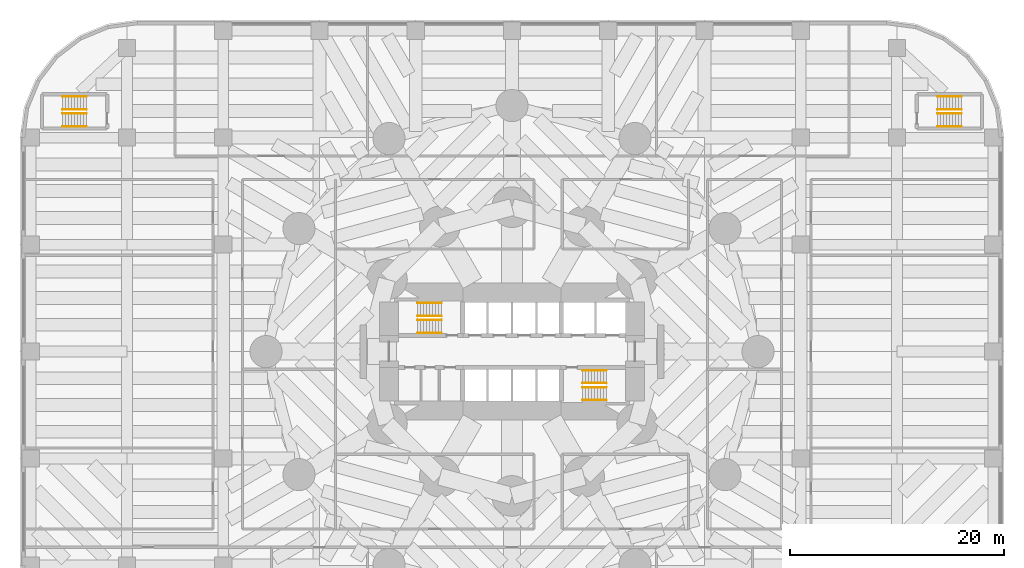
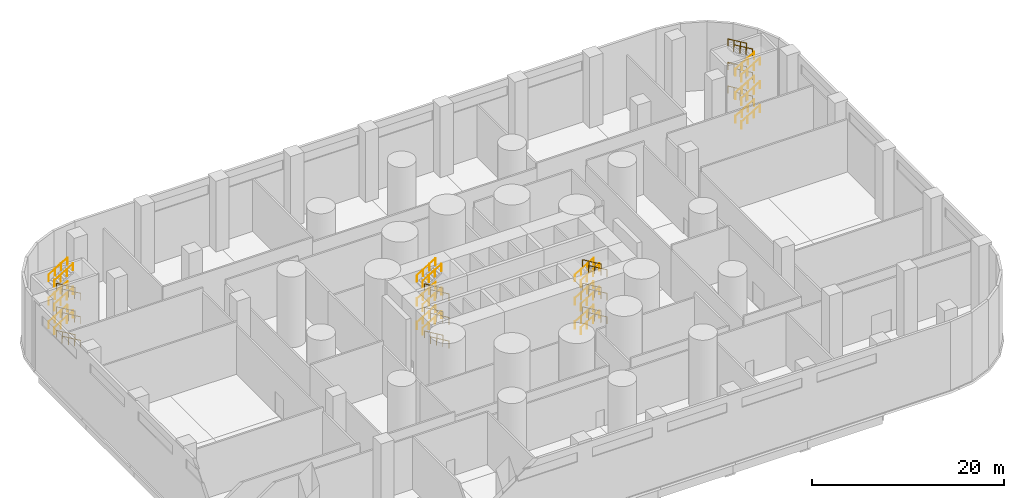
# One storey, part 13 of 13: 48 railings.
"""IFC4 building model written with IfcOpenShell, lengths in metres."""

import ifcopenshell
import ifcopenshell.guid

model = None  # the IFC model being written
_history = None  # IfcOwnerHistory: only IFC2X3 demands one
_inside = {}  # id of a spatial element -> (the spatial element, [elements in it])
_under = {}  # id of a project, library or spatial element -> (it, [spatial elements below it])
_declared = {}  # id of a project -> (the project, [libraries it declares])
_typed = {}  # id of a type object -> (the type object, [elements of that type])
_made_of = {}  # id of a material, layer set ... -> (it, [elements and type objects made of it])


def new_model(schema):
    """Start an empty IFC model of exactly this schema.

    Asked for "IFC4X3", IfcOpenShell would pick the latest addendum, in which some entities
    have other attributes; the version numbers below select the first issue.
    IFC2X3 requires an IfcOwnerHistory on every rooted entity: one is made here for all.
    """
    global model, _history
    if schema == "IFC4X3":
        model = ifcopenshell.file(schema_version=(4, 3, 0, 0))
    else:
        model = ifcopenshell.file(schema=schema)
    _inside.clear()
    _under.clear()
    _declared.clear()
    _typed.clear()
    _made_of.clear()
    _history = None
    if model.schema == "IFC2X3":
        org = make("IfcOrganization", Name="unknown")
        user = make(
            "IfcPersonAndOrganization",
            ThePerson=make("IfcPerson", FamilyName="unknown"),
            TheOrganization=org,
        )
        app = make(
            "IfcApplication",
            ApplicationDeveloper=org,
            Version="unknown",
            ApplicationFullName="unknown",
            ApplicationIdentifier="unknown",
        )
        _history = make(
            "IfcOwnerHistory",
            OwningUser=user,
            OwningApplication=app,
            ChangeAction="ADDED",
            CreationDate=0,
        )
    return model


def make(cls, **values):
    """One entity of the class cls with the attributes given. An attribute that is None is left unset."""
    return model.create_entity(
        cls, **{name: value for name, value in values.items() if value is not None}
    )


def rooted(cls, **values):
    """An entity with a GlobalId (a new one), such as an element, a storey or a relation."""
    return make(cls, GlobalId=ifcopenshell.guid.new(), OwnerHistory=_history, **values)


def si_unit(unit_type, name, prefix=None):
    """IfcSIUnit, for example si_unit("LENGTHUNIT", "METRE", prefix="MILLI")."""
    return make("IfcSIUnit", UnitType=unit_type, Prefix=prefix, Name=name)


def assignment(units):
    """IfcUnitAssignment: the units of a project."""
    return None if units is None else make("IfcUnitAssignment", Units=units)


def point(xyz):
    """IfcCartesianPoint."""
    return None if xyz is None else make("IfcCartesianPoint", Coordinates=xyz)


def direction(xyz):
    """IfcDirection."""
    return None if xyz is None else make("IfcDirection", DirectionRatios=xyz)


def frame(location, z_axis=None, x_axis=None):
    """IfcAxis2Placement3D, a coordinate frame: its origin and axes. An axis left out is left unset."""
    return make(
        "IfcAxis2Placement3D",
        Location=point(location),
        Axis=direction(z_axis),
        RefDirection=direction(x_axis),
    )


def frame_2d(location, x_axis=None):
    """IfcAxis2Placement2D, a coordinate frame in the plane: its origin and x axis."""
    return make(
        "IfcAxis2Placement2D", Location=point(location), RefDirection=direction(x_axis)
    )


def origin():
    """The frame at (0, 0, 0) with its axes left unset."""
    return frame((0.0, 0.0, 0.0))


def origin_2d():
    """The frame at (0, 0) in the plane with its x axis left unset."""
    return frame_2d((0.0, 0.0))


def place(relative_to, where):
    """IfcLocalPlacement: puts the frame where relative to a parent placement (None: the world)."""
    return make(
        "IfcLocalPlacement", PlacementRelTo=relative_to, RelativePlacement=where
    )


def context(
    kind, dimensions, precision=None, world=None, true_north=None, identifier=None
):
    """IfcGeometricRepresentationContext, for example the 3D "Model" context."""
    return make(
        "IfcGeometricRepresentationContext",
        ContextIdentifier=identifier,
        ContextType=kind,
        CoordinateSpaceDimension=dimensions,
        Precision=precision,
        WorldCoordinateSystem=world,
        TrueNorth=true_north,
    )


def subcontext(parent, identifier, kind, view, scale=None):
    """IfcGeometricRepresentationSubContext, for example "Body" below "Model"."""
    return make(
        "IfcGeometricRepresentationSubContext",
        ContextIdentifier=identifier,
        ContextType=kind,
        ParentContext=parent,
        TargetScale=scale,
        TargetView=view,
    )


def project(units=None, contexts=None):
    """IfcProject with its units and contexts."""
    return rooted(
        "IfcProject",
        Name="project",
        RepresentationContexts=contexts,
        UnitsInContext=assignment(units),
    )


def spatial(cls, under=None, at=None, **own):
    """A site, building, storey or space (cls), placed at a placement, below another one or the project."""
    s = rooted(cls, ObjectPlacement=at, **own)
    if under is not None:
        _under.setdefault(under.id(), (under, []))[1].append(s)
    return s


def profile(cls, at=None, kind="AREA", **sizes):
    """A parametric profile (cls). Its sizes go by their IFC names, for example OverallWidth=200.0."""
    return make(cls, ProfileType=kind, Position=at, **sizes)


def circle(**sizes):
    """IfcCircleProfileDef."""
    return profile("IfcCircleProfileDef", **sizes)


def extrude(swept, where, along, depth):
    """IfcExtrudedAreaSolid: the profile swept, set in the frame where, extruded along a direction by depth."""
    return make(
        "IfcExtrudedAreaSolid",
        SweptArea=swept,
        Position=where,
        ExtrudedDirection=direction(along),
        Depth=depth,
    )


def shape(context_of_items, identifier, shape_type, items):
    """IfcShapeRepresentation: the items that make up one representation, for example the "Body"."""
    return make(
        "IfcShapeRepresentation",
        ContextOfItems=context_of_items,
        RepresentationIdentifier=identifier,
        RepresentationType=shape_type,
        Items=items,
    )


def material(Name=None, Category=None):
    """IfcMaterial."""
    return make("IfcMaterial", Name=Name, Category=Category)


def made_of(thing, what):
    """Note that an element or type object is made of a material, layer set ...; save() writes the relation."""
    if what is not None:
        _made_of.setdefault(what.id(), (what, []))[1].append(thing)
    return thing


def type_object(cls, material=None, **own):
    """A type object (cls), such as IfcWallType, which elements share."""
    return made_of(rooted(cls, **own), material)


def element(
    cls,
    number,
    at=None,
    inside=None,
    cuts=None,
    type_object=None,
    material=None,
    context=None,
    identifier="Body",
    shape_type=None,
    held_by="IfcProductDefinitionShape",
    body=None,
    shapes=None,
    **own,
):
    """One element of the class cls, such as IfcWall. Its Tag is "e" and its number.

    at: its placement. inside: the storey or other place that contains it. cuts: it is an
    opening in that element (IfcRelVoidsElement). A single representation is given by context,
    identifier, shape_type and body (its items); several are given by shapes. held_by: the class
    of the entity that holds the representations. save() writes the other relations.
    """
    e = rooted(cls, Tag="e%d" % number, ObjectPlacement=at, **own)
    if body is not None:
        shapes = [shape(context, identifier, shape_type, body)]
    if shapes is not None:
        e.Representation = make(held_by, Representations=shapes)
    if inside is not None:
        _inside.setdefault(inside.id(), (inside, []))[1].append(e)
    if cuts is not None:
        rooted(
            "IfcRelVoidsElement", RelatingBuildingElement=cuts, RelatedOpeningElement=e
        )
    if type_object is not None:
        _typed.setdefault(type_object.id(), (type_object, []))[1].append(e)
    return made_of(e, material)


def aggregate(whole, parts):
    """IfcRelAggregates: a whole, such as a stair, and the parts it consists of."""
    return rooted("IfcRelAggregates", RelatingObject=whole, RelatedObjects=parts)


def save(model, path):
    """Write the relations noted so far, then the file.

    IfcRelAggregates (storeys below a building ...), IfcRelContainedInSpatialStructure (elements
    in a storey), IfcRelDefinesByType, IfcRelAssociatesMaterial and IfcRelDeclares: one each for
    every whole, place, type object, material and project.
    """
    for whole, parts in _under.values():
        aggregate(whole, parts)
    for where, things in _inside.values():
        rooted(
            "IfcRelContainedInSpatialStructure",
            RelatedElements=things,
            RelatingStructure=where,
        )
    for kind, things in _typed.values():
        rooted("IfcRelDefinesByType", RelatedObjects=things, RelatingType=kind)
    for what, things in _made_of.values():
        rooted("IfcRelAssociatesMaterial", RelatedObjects=things, RelatingMaterial=what)
    for by, libraries in _declared.values():
        rooted("IfcRelDeclares", RelatingContext=by, RelatedDefinitions=libraries)
    model.write(path)


model = new_model("IFC4")

# Units and contexts
model_context = context("Model", 3, precision=1e-05, world=origin(), true_north=direction((0.0, 1.0)))
body_context = subcontext(model_context, "Body", "Model", "MODEL_VIEW")
ifc_project = project(units=[si_unit("LENGTHUNIT", "METRE"), si_unit("AREAUNIT", "SQUARE_METRE"), si_unit("VOLUMEUNIT", "CUBIC_METRE"), si_unit("PLANEANGLEUNIT", "RADIAN"), si_unit("MASSUNIT", "GRAM", prefix="KILO")], contexts=[model_context])

# Site, building, storey
site_placement = place(None, origin())
site = spatial("IfcSite", under=ifc_project, at=site_placement, CompositionType="ELEMENT")
building_placement = place(site_placement, origin())
building = spatial("IfcBuilding", under=site, at=building_placement, Name="Qaws Media Tower", CompositionType="ELEMENT")
storey_placement = place(building_placement, frame((0.0, 0.0, 6.0)))
storey = spatial("IfcBuildingStorey", under=building, at=storey_placement, Name="L01", CompositionType="ELEMENT", Elevation=6.0)

# Railings
ifc_material = material(Name="Steel tube handrail", Category="steel")
railing_type = type_object("IfcRailingType", Name="Stair handrail 900", PredefinedType="HANDRAIL", material=ifc_material)
for number, where, name in (
    (1, (53.419921875, 51.75, 0.166748046875), "HR1 handrail S1 flight 1 L01"),
    (2, (53.419921875, 52.9599609375, 0.166748046875), "HR1 handrail S1 flight 1 L01"),
):
    element("IfcRailing", number, at=place(storey_placement, frame(where)), inside=storey, type_object=railing_type, Name=name, PredefinedType="HANDRAIL", context=body_context, shape_type="SweptSolid", body=[
        extrude(circle(Radius=0.02392578125, at=origin_2d()), frame((0.0, 0.0, 0.8759765625), z_axis=(-0.859305625298, 0.0, 0.511462454469), x_axis=(0.0, -1.0, 0.0)), (0.0, 0.0, 1.0), 2.606689453125),
        extrude(circle(Radius=0.02099609375, at=origin_2d()), origin(), (0.0, 0.0, 1.0), 0.851806640625),
        extrude(circle(Radius=0.02099609375, at=origin_2d()), frame((-0.74658203125, 0.0, 0.4443359375)), (0.0, 0.0, 1.0), 0.851806640625),
        extrude(circle(Radius=0.02099609375, at=origin_2d()), frame((-1.493408203125, 0.0, 0.888916015625)), (0.0, 0.0, 1.0), 0.851806640625),
        extrude(circle(Radius=0.02099609375, at=origin_2d()), frame((-2.239990234375, 0.0, 1.333251953125)), (0.0, 0.0, 1.0), 0.851806640625),
    ])
for number, where, name in (
    (3, (51.179931640625, 54.550048828125, 1.666748046875), "HR1 handrail S1 flight 2 L01"),
    (4, (51.179931640625, 53.340087890625, 1.666748046875), "HR1 handrail S1 flight 2 L01"),
):
    element("IfcRailing", number, at=place(storey_placement, frame(where)), inside=storey, type_object=railing_type, Name=name, PredefinedType="HANDRAIL", context=body_context, shape_type="SweptSolid", body=[
        extrude(circle(Radius=0.02392578125, at=origin_2d()), frame((0.0, 0.0, 0.8759765625), z_axis=(0.859305625298, 0.0, 0.511462454469), x_axis=(0.0, 1.0, 0.0)), (0.0, 0.0, 1.0), 2.606689453125),
        extrude(circle(Radius=0.02099609375, at=origin_2d()), origin(), (0.0, 0.0, 1.0), 0.851806640625),
        extrude(circle(Radius=0.02099609375, at=origin_2d()), frame((0.74658203125, 0.0, 0.4443359375)), (0.0, 0.0, 1.0), 0.851806640625),
        extrude(circle(Radius=0.02099609375, at=origin_2d()), frame((1.493408203125, 0.0, 0.888916015625)), (0.0, 0.0, 1.0), 0.851806640625),
        extrude(circle(Radius=0.02099609375, at=origin_2d()), frame((2.239990234375, 0.0, 1.333251953125)), (0.0, 0.0, 1.0), 0.851806640625),
    ])
for number, where, name in (
    (5, (53.419921875, 51.75, 3.166748046875), "HR1 handrail S1 flight 3 L01"),
    (6, (53.419921875, 52.9599609375, 3.166748046875), "HR1 handrail S1 flight 3 L01"),
):
    element("IfcRailing", number, at=place(storey_placement, frame(where)), inside=storey, type_object=railing_type, Name=name, PredefinedType="HANDRAIL", context=body_context, shape_type="SweptSolid", body=[
        extrude(circle(Radius=0.02392578125, at=origin_2d()), frame((0.0, 0.0, 0.8759765625), z_axis=(-0.859305625298, 0.0, 0.511462454469), x_axis=(0.0, -1.0, 0.0)), (0.0, 0.0, 1.0), 2.606689453125),
        extrude(circle(Radius=0.02099609375, at=origin_2d()), origin(), (0.0, 0.0, 1.0), 0.851806640625),
        extrude(circle(Radius=0.02099609375, at=origin_2d()), frame((-0.74658203125, 0.0, 0.4443359375)), (0.0, 0.0, 1.0), 0.851806640625),
        extrude(circle(Radius=0.02099609375, at=origin_2d()), frame((-1.493408203125, 0.0, 0.888916015625)), (0.0, 0.0, 1.0), 0.851806640625),
        extrude(circle(Radius=0.02099609375, at=origin_2d()), frame((-2.239990234375, 0.0, 1.333251953125)), (0.0, 0.0, 1.0), 0.851806640625),
    ])
for number, where, name in (
    (7, (51.179931640625, 54.550048828125, 4.666748046875), "HR1 handrail S1 flight 4 L01"),
    (8, (51.179931640625, 53.340087890625, 4.666748046875), "HR1 handrail S1 flight 4 L01"),
):
    element("IfcRailing", number, at=place(storey_placement, frame(where)), inside=storey, type_object=railing_type, Name=name, PredefinedType="HANDRAIL", context=body_context, shape_type="SweptSolid", body=[
        extrude(circle(Radius=0.02392578125, at=origin_2d()), frame((0.0, 0.0, 0.8759765625), z_axis=(0.859305625298, 0.0, 0.511462454469), x_axis=(0.0, 1.0, 0.0)), (0.0, 0.0, 1.0), 2.606689453125),
        extrude(circle(Radius=0.02099609375, at=origin_2d()), origin(), (0.0, 0.0, 1.0), 0.851806640625),
        extrude(circle(Radius=0.02099609375, at=origin_2d()), frame((0.74658203125, 0.0, 0.4443359375)), (0.0, 0.0, 1.0), 0.851806640625),
        extrude(circle(Radius=0.02099609375, at=origin_2d()), frame((1.493408203125, 0.0, 0.888916015625)), (0.0, 0.0, 1.0), 0.851806640625),
        extrude(circle(Radius=0.02099609375, at=origin_2d()), frame((2.239990234375, 0.0, 1.333251953125)), (0.0, 0.0, 1.0), 0.851806640625),
    ])
for number, where, name in (
    (9, (53.419921875, 51.75, 6.166748046875), "HR1 handrail S1 flight 5 L01"),
    (10, (53.419921875, 52.9599609375, 6.166748046875), "HR1 handrail S1 flight 5 L01"),
):
    element("IfcRailing", number, at=place(storey_placement, frame(where)), inside=storey, type_object=railing_type, Name=name, PredefinedType="HANDRAIL", context=body_context, shape_type="SweptSolid", body=[
        extrude(circle(Radius=0.02392578125, at=origin_2d()), frame((0.0, 0.0, 0.8759765625), z_axis=(-0.859305625298, 0.0, 0.511462454469), x_axis=(0.0, -1.0, 0.0)), (0.0, 0.0, 1.0), 2.606689453125),
        extrude(circle(Radius=0.02099609375, at=origin_2d()), origin(), (0.0, 0.0, 1.0), 0.851806640625),
        extrude(circle(Radius=0.02099609375, at=origin_2d()), frame((-0.74658203125, 0.0, 0.4443359375)), (0.0, 0.0, 1.0), 0.851806640625),
        extrude(circle(Radius=0.02099609375, at=origin_2d()), frame((-1.493408203125, 0.0, 0.888916015625)), (0.0, 0.0, 1.0), 0.851806640625),
        extrude(circle(Radius=0.02099609375, at=origin_2d()), frame((-2.239990234375, 0.0, 1.333251953125)), (0.0, 0.0, 1.0), 0.851806640625),
    ])
for number, where, name in (
    (11, (51.179931640625, 54.550048828125, 7.666748046875), "HR1 handrail S1 flight 6 L01"),
    (12, (51.179931640625, 53.340087890625, 7.666748046875), "HR1 handrail S1 flight 6 L01"),
    (13, (66.580078125, 48.25, 0.166748046875), "HR1 handrail S2 flight 1 L01"),
    (14, (66.580078125, 47.0400390625, 0.166748046875), "HR1 handrail S2 flight 1 L01"),
):
    element("IfcRailing", number, at=place(storey_placement, frame(where)), inside=storey, type_object=railing_type, Name=name, PredefinedType="HANDRAIL", context=body_context, shape_type="SweptSolid", body=[
        extrude(circle(Radius=0.02392578125, at=origin_2d()), frame((0.0, 0.0, 0.8759765625), z_axis=(0.859305625298, 0.0, 0.511462454469), x_axis=(0.0, 1.0, 0.0)), (0.0, 0.0, 1.0), 2.606689453125),
        extrude(circle(Radius=0.02099609375, at=origin_2d()), origin(), (0.0, 0.0, 1.0), 0.851806640625),
        extrude(circle(Radius=0.02099609375, at=origin_2d()), frame((0.74658203125, 0.0, 0.4443359375)), (0.0, 0.0, 1.0), 0.851806640625),
        extrude(circle(Radius=0.02099609375, at=origin_2d()), frame((1.493408203125, 0.0, 0.888916015625)), (0.0, 0.0, 1.0), 0.851806640625),
        extrude(circle(Radius=0.02099609375, at=origin_2d()), frame((2.239990234375, 0.0, 1.333251953125)), (0.0, 0.0, 1.0), 0.851806640625),
    ])
for number, where, name in (
    (15, (68.820068359375, 45.449951171875, 1.666748046875), "HR1 handrail S2 flight 2 L01"),
    (16, (68.820068359375, 46.659912109375, 1.666748046875), "HR1 handrail S2 flight 2 L01"),
):
    element("IfcRailing", number, at=place(storey_placement, frame(where)), inside=storey, type_object=railing_type, Name=name, PredefinedType="HANDRAIL", context=body_context, shape_type="SweptSolid", body=[
        extrude(circle(Radius=0.02392578125, at=origin_2d()), frame((0.0, 0.0, 0.8759765625), z_axis=(-0.859305625298, 0.0, 0.511462454469), x_axis=(0.0, -1.0, 0.0)), (0.0, 0.0, 1.0), 2.606689453125),
        extrude(circle(Radius=0.02099609375, at=origin_2d()), origin(), (0.0, 0.0, 1.0), 0.851806640625),
        extrude(circle(Radius=0.02099609375, at=origin_2d()), frame((-0.74658203125, 0.0, 0.4443359375)), (0.0, 0.0, 1.0), 0.851806640625),
        extrude(circle(Radius=0.02099609375, at=origin_2d()), frame((-1.493408203125, 0.0, 0.888916015625)), (0.0, 0.0, 1.0), 0.851806640625),
        extrude(circle(Radius=0.02099609375, at=origin_2d()), frame((-2.239990234375, 0.0, 1.333251953125)), (0.0, 0.0, 1.0), 0.851806640625),
    ])
for number, where, name in (
    (17, (66.580078125, 48.25, 3.166748046875), "HR1 handrail S2 flight 3 L01"),
    (18, (66.580078125, 47.0400390625, 3.166748046875), "HR1 handrail S2 flight 3 L01"),
):
    element("IfcRailing", number, at=place(storey_placement, frame(where)), inside=storey, type_object=railing_type, Name=name, PredefinedType="HANDRAIL", context=body_context, shape_type="SweptSolid", body=[
        extrude(circle(Radius=0.02392578125, at=origin_2d()), frame((0.0, 0.0, 0.8759765625), z_axis=(0.859305625298, 0.0, 0.511462454469), x_axis=(0.0, 1.0, 0.0)), (0.0, 0.0, 1.0), 2.606689453125),
        extrude(circle(Radius=0.02099609375, at=origin_2d()), origin(), (0.0, 0.0, 1.0), 0.851806640625),
        extrude(circle(Radius=0.02099609375, at=origin_2d()), frame((0.74658203125, 0.0, 0.4443359375)), (0.0, 0.0, 1.0), 0.851806640625),
        extrude(circle(Radius=0.02099609375, at=origin_2d()), frame((1.493408203125, 0.0, 0.888916015625)), (0.0, 0.0, 1.0), 0.851806640625),
        extrude(circle(Radius=0.02099609375, at=origin_2d()), frame((2.239990234375, 0.0, 1.333251953125)), (0.0, 0.0, 1.0), 0.851806640625),
    ])
for number, where, name in (
    (19, (68.820068359375, 45.449951171875, 4.666748046875), "HR1 handrail S2 flight 4 L01"),
    (20, (68.820068359375, 46.659912109375, 4.666748046875), "HR1 handrail S2 flight 4 L01"),
):
    element("IfcRailing", number, at=place(storey_placement, frame(where)), inside=storey, type_object=railing_type, Name=name, PredefinedType="HANDRAIL", context=body_context, shape_type="SweptSolid", body=[
        extrude(circle(Radius=0.02392578125, at=origin_2d()), frame((0.0, 0.0, 0.8759765625), z_axis=(-0.859305625298, 0.0, 0.511462454469), x_axis=(0.0, -1.0, 0.0)), (0.0, 0.0, 1.0), 2.606689453125),
        extrude(circle(Radius=0.02099609375, at=origin_2d()), origin(), (0.0, 0.0, 1.0), 0.851806640625),
        extrude(circle(Radius=0.02099609375, at=origin_2d()), frame((-0.74658203125, 0.0, 0.4443359375)), (0.0, 0.0, 1.0), 0.851806640625),
        extrude(circle(Radius=0.02099609375, at=origin_2d()), frame((-1.493408203125, 0.0, 0.888916015625)), (0.0, 0.0, 1.0), 0.851806640625),
        extrude(circle(Radius=0.02099609375, at=origin_2d()), frame((-2.239990234375, 0.0, 1.333251953125)), (0.0, 0.0, 1.0), 0.851806640625),
    ])
for number, where, name in (
    (21, (66.580078125, 48.25, 6.166748046875), "HR1 handrail S2 flight 5 L01"),
    (22, (66.580078125, 47.0400390625, 6.166748046875), "HR1 handrail S2 flight 5 L01"),
):
    element("IfcRailing", number, at=place(storey_placement, frame(where)), inside=storey, type_object=railing_type, Name=name, PredefinedType="HANDRAIL", context=body_context, shape_type="SweptSolid", body=[
        extrude(circle(Radius=0.02392578125, at=origin_2d()), frame((0.0, 0.0, 0.8759765625), z_axis=(0.859305625298, 0.0, 0.511462454469), x_axis=(0.0, 1.0, 0.0)), (0.0, 0.0, 1.0), 2.606689453125),
        extrude(circle(Radius=0.02099609375, at=origin_2d()), origin(), (0.0, 0.0, 1.0), 0.851806640625),
        extrude(circle(Radius=0.02099609375, at=origin_2d()), frame((0.74658203125, 0.0, 0.4443359375)), (0.0, 0.0, 1.0), 0.851806640625),
        extrude(circle(Radius=0.02099609375, at=origin_2d()), frame((1.493408203125, 0.0, 0.888916015625)), (0.0, 0.0, 1.0), 0.851806640625),
        extrude(circle(Radius=0.02099609375, at=origin_2d()), frame((2.239990234375, 0.0, 1.333251953125)), (0.0, 0.0, 1.0), 0.851806640625),
    ])
for number, where, name in (
    (23, (68.820068359375, 45.449951171875, 7.666748046875), "HR1 handrail S2 flight 6 L01"),
    (24, (68.820068359375, 46.659912109375, 7.666748046875), "HR1 handrail S2 flight 6 L01"),
    (25, (20.219970703125, 71.050048828125, 0.166748046875), "HR1 handrail S3 flight 1 L01"),
    (26, (20.219970703125, 72.260009765625, 0.166748046875), "HR1 handrail S3 flight 1 L01"),
):
    element("IfcRailing", number, at=place(storey_placement, frame(where)), inside=storey, type_object=railing_type, Name=name, PredefinedType="HANDRAIL", context=body_context, shape_type="SweptSolid", body=[
        extrude(circle(Radius=0.02392578125, at=origin_2d()), frame((0.0, 0.0, 0.8759765625), z_axis=(-0.859305625298, 0.0, 0.511462454469), x_axis=(0.0, -1.0, 0.0)), (0.0, 0.0, 1.0), 2.606689453125),
        extrude(circle(Radius=0.02099609375, at=origin_2d()), origin(), (0.0, 0.0, 1.0), 0.851806640625),
        extrude(circle(Radius=0.02099609375, at=origin_2d()), frame((-0.74658203125, 0.0, 0.4443359375)), (0.0, 0.0, 1.0), 0.851806640625),
        extrude(circle(Radius=0.02099609375, at=origin_2d()), frame((-1.493408203125, 0.0, 0.888916015625)), (0.0, 0.0, 1.0), 0.851806640625),
        extrude(circle(Radius=0.02099609375, at=origin_2d()), frame((-2.239990234375, 0.0, 1.333251953125)), (0.0, 0.0, 1.0), 0.851806640625),
    ])
for number, where, name in (
    (27, (17.97998046875, 73.85009765625, 1.666748046875), "HR1 handrail S3 flight 2 L01"),
    (28, (17.97998046875, 72.639892578125, 1.666748046875), "HR1 handrail S3 flight 2 L01"),
):
    element("IfcRailing", number, at=place(storey_placement, frame(where)), inside=storey, type_object=railing_type, Name=name, PredefinedType="HANDRAIL", context=body_context, shape_type="SweptSolid", body=[
        extrude(circle(Radius=0.02392578125, at=origin_2d()), frame((0.0, 0.0, 0.8759765625), z_axis=(0.859305625298, 0.0, 0.511462454469), x_axis=(0.0, 1.0, 0.0)), (0.0, 0.0, 1.0), 2.606689453125),
        extrude(circle(Radius=0.02099609375, at=origin_2d()), origin(), (0.0, 0.0, 1.0), 0.851806640625),
        extrude(circle(Radius=0.02099609375, at=origin_2d()), frame((0.74658203125, 0.0, 0.4443359375)), (0.0, 0.0, 1.0), 0.851806640625),
        extrude(circle(Radius=0.02099609375, at=origin_2d()), frame((1.493408203125, 0.0, 0.888916015625)), (0.0, 0.0, 1.0), 0.851806640625),
        extrude(circle(Radius=0.02099609375, at=origin_2d()), frame((2.239990234375, 0.0, 1.333251953125)), (0.0, 0.0, 1.0), 0.851806640625),
    ])
for number, where, name in (
    (29, (20.219970703125, 71.050048828125, 3.166748046875), "HR1 handrail S3 flight 3 L01"),
    (30, (20.219970703125, 72.260009765625, 3.166748046875), "HR1 handrail S3 flight 3 L01"),
):
    element("IfcRailing", number, at=place(storey_placement, frame(where)), inside=storey, type_object=railing_type, Name=name, PredefinedType="HANDRAIL", context=body_context, shape_type="SweptSolid", body=[
        extrude(circle(Radius=0.02392578125, at=origin_2d()), frame((0.0, 0.0, 0.8759765625), z_axis=(-0.859305625298, 0.0, 0.511462454469), x_axis=(0.0, -1.0, 0.0)), (0.0, 0.0, 1.0), 2.606689453125),
        extrude(circle(Radius=0.02099609375, at=origin_2d()), origin(), (0.0, 0.0, 1.0), 0.851806640625),
        extrude(circle(Radius=0.02099609375, at=origin_2d()), frame((-0.74658203125, 0.0, 0.4443359375)), (0.0, 0.0, 1.0), 0.851806640625),
        extrude(circle(Radius=0.02099609375, at=origin_2d()), frame((-1.493408203125, 0.0, 0.888916015625)), (0.0, 0.0, 1.0), 0.851806640625),
        extrude(circle(Radius=0.02099609375, at=origin_2d()), frame((-2.239990234375, 0.0, 1.333251953125)), (0.0, 0.0, 1.0), 0.851806640625),
    ])
for number, where, name in (
    (31, (17.97998046875, 73.85009765625, 4.666748046875), "HR1 handrail S3 flight 4 L01"),
    (32, (17.97998046875, 72.639892578125, 4.666748046875), "HR1 handrail S3 flight 4 L01"),
):
    element("IfcRailing", number, at=place(storey_placement, frame(where)), inside=storey, type_object=railing_type, Name=name, PredefinedType="HANDRAIL", context=body_context, shape_type="SweptSolid", body=[
        extrude(circle(Radius=0.02392578125, at=origin_2d()), frame((0.0, 0.0, 0.8759765625), z_axis=(0.859305625298, 0.0, 0.511462454469), x_axis=(0.0, 1.0, 0.0)), (0.0, 0.0, 1.0), 2.606689453125),
        extrude(circle(Radius=0.02099609375, at=origin_2d()), origin(), (0.0, 0.0, 1.0), 0.851806640625),
        extrude(circle(Radius=0.02099609375, at=origin_2d()), frame((0.74658203125, 0.0, 0.4443359375)), (0.0, 0.0, 1.0), 0.851806640625),
        extrude(circle(Radius=0.02099609375, at=origin_2d()), frame((1.493408203125, 0.0, 0.888916015625)), (0.0, 0.0, 1.0), 0.851806640625),
        extrude(circle(Radius=0.02099609375, at=origin_2d()), frame((2.239990234375, 0.0, 1.333251953125)), (0.0, 0.0, 1.0), 0.851806640625),
    ])
for number, where, name in (
    (33, (20.219970703125, 71.050048828125, 6.166748046875), "HR1 handrail S3 flight 5 L01"),
    (34, (20.219970703125, 72.260009765625, 6.166748046875), "HR1 handrail S3 flight 5 L01"),
):
    element("IfcRailing", number, at=place(storey_placement, frame(where)), inside=storey, type_object=railing_type, Name=name, PredefinedType="HANDRAIL", context=body_context, shape_type="SweptSolid", body=[
        extrude(circle(Radius=0.02392578125, at=origin_2d()), frame((0.0, 0.0, 0.8759765625), z_axis=(-0.859305625298, 0.0, 0.511462454469), x_axis=(0.0, -1.0, 0.0)), (0.0, 0.0, 1.0), 2.606689453125),
        extrude(circle(Radius=0.02099609375, at=origin_2d()), origin(), (0.0, 0.0, 1.0), 0.851806640625),
        extrude(circle(Radius=0.02099609375, at=origin_2d()), frame((-0.74658203125, 0.0, 0.4443359375)), (0.0, 0.0, 1.0), 0.851806640625),
        extrude(circle(Radius=0.02099609375, at=origin_2d()), frame((-1.493408203125, 0.0, 0.888916015625)), (0.0, 0.0, 1.0), 0.851806640625),
        extrude(circle(Radius=0.02099609375, at=origin_2d()), frame((-2.239990234375, 0.0, 1.333251953125)), (0.0, 0.0, 1.0), 0.851806640625),
    ])
for number, where, name in (
    (35, (17.97998046875, 73.85009765625, 7.666748046875), "HR1 handrail S3 flight 6 L01"),
    (36, (17.97998046875, 72.639892578125, 7.666748046875), "HR1 handrail S3 flight 6 L01"),
    (37, (99.780029296875, 71.050048828125, 0.166748046875), "HR1 handrail S4 flight 1 L01"),
    (38, (99.780029296875, 72.260009765625, 0.166748046875), "HR1 handrail S4 flight 1 L01"),
):
    element("IfcRailing", number, at=place(storey_placement, frame(where)), inside=storey, type_object=railing_type, Name=name, PredefinedType="HANDRAIL", context=body_context, shape_type="SweptSolid", body=[
        extrude(circle(Radius=0.02392578125, at=origin_2d()), frame((0.0, 0.0, 0.8759765625), z_axis=(0.859305625298, 0.0, 0.511462454469), x_axis=(0.0, 1.0, 0.0)), (0.0, 0.0, 1.0), 2.606689453125),
        extrude(circle(Radius=0.02099609375, at=origin_2d()), origin(), (0.0, 0.0, 1.0), 0.851806640625),
        extrude(circle(Radius=0.02099609375, at=origin_2d()), frame((0.74658203125, 0.0, 0.4443359375)), (0.0, 0.0, 1.0), 0.851806640625),
        extrude(circle(Radius=0.02099609375, at=origin_2d()), frame((1.493408203125, 0.0, 0.888916015625)), (0.0, 0.0, 1.0), 0.851806640625),
        extrude(circle(Radius=0.02099609375, at=origin_2d()), frame((2.239990234375, 0.0, 1.333251953125)), (0.0, 0.0, 1.0), 0.851806640625),
    ])
for number, where, name in (
    (39, (102.02001953125, 73.85009765625, 1.666748046875), "HR1 handrail S4 flight 2 L01"),
    (40, (102.02001953125, 72.639892578125, 1.666748046875), "HR1 handrail S4 flight 2 L01"),
):
    element("IfcRailing", number, at=place(storey_placement, frame(where)), inside=storey, type_object=railing_type, Name=name, PredefinedType="HANDRAIL", context=body_context, shape_type="SweptSolid", body=[
        extrude(circle(Radius=0.02392578125, at=origin_2d()), frame((0.0, 0.0, 0.8759765625), z_axis=(-0.859305625298, 0.0, 0.511462454469), x_axis=(0.0, -1.0, 0.0)), (0.0, 0.0, 1.0), 2.606689453125),
        extrude(circle(Radius=0.02099609375, at=origin_2d()), origin(), (0.0, 0.0, 1.0), 0.851806640625),
        extrude(circle(Radius=0.02099609375, at=origin_2d()), frame((-0.74658203125, 0.0, 0.4443359375)), (0.0, 0.0, 1.0), 0.851806640625),
        extrude(circle(Radius=0.02099609375, at=origin_2d()), frame((-1.493408203125, 0.0, 0.888916015625)), (0.0, 0.0, 1.0), 0.851806640625),
        extrude(circle(Radius=0.02099609375, at=origin_2d()), frame((-2.239990234375, 0.0, 1.333251953125)), (0.0, 0.0, 1.0), 0.851806640625),
    ])
for number, where, name in (
    (41, (99.780029296875, 71.050048828125, 3.166748046875), "HR1 handrail S4 flight 3 L01"),
    (42, (99.780029296875, 72.260009765625, 3.166748046875), "HR1 handrail S4 flight 3 L01"),
):
    element("IfcRailing", number, at=place(storey_placement, frame(where)), inside=storey, type_object=railing_type, Name=name, PredefinedType="HANDRAIL", context=body_context, shape_type="SweptSolid", body=[
        extrude(circle(Radius=0.02392578125, at=origin_2d()), frame((0.0, 0.0, 0.8759765625), z_axis=(0.859305625298, 0.0, 0.511462454469), x_axis=(0.0, 1.0, 0.0)), (0.0, 0.0, 1.0), 2.606689453125),
        extrude(circle(Radius=0.02099609375, at=origin_2d()), origin(), (0.0, 0.0, 1.0), 0.851806640625),
        extrude(circle(Radius=0.02099609375, at=origin_2d()), frame((0.74658203125, 0.0, 0.4443359375)), (0.0, 0.0, 1.0), 0.851806640625),
        extrude(circle(Radius=0.02099609375, at=origin_2d()), frame((1.493408203125, 0.0, 0.888916015625)), (0.0, 0.0, 1.0), 0.851806640625),
        extrude(circle(Radius=0.02099609375, at=origin_2d()), frame((2.239990234375, 0.0, 1.333251953125)), (0.0, 0.0, 1.0), 0.851806640625),
    ])
for number, where, name in (
    (43, (102.02001953125, 73.85009765625, 4.666748046875), "HR1 handrail S4 flight 4 L01"),
    (44, (102.02001953125, 72.639892578125, 4.666748046875), "HR1 handrail S4 flight 4 L01"),
):
    element("IfcRailing", number, at=place(storey_placement, frame(where)), inside=storey, type_object=railing_type, Name=name, PredefinedType="HANDRAIL", context=body_context, shape_type="SweptSolid", body=[
        extrude(circle(Radius=0.02392578125, at=origin_2d()), frame((0.0, 0.0, 0.8759765625), z_axis=(-0.859305625298, 0.0, 0.511462454469), x_axis=(0.0, -1.0, 0.0)), (0.0, 0.0, 1.0), 2.606689453125),
        extrude(circle(Radius=0.02099609375, at=origin_2d()), origin(), (0.0, 0.0, 1.0), 0.851806640625),
        extrude(circle(Radius=0.02099609375, at=origin_2d()), frame((-0.74658203125, 0.0, 0.4443359375)), (0.0, 0.0, 1.0), 0.851806640625),
        extrude(circle(Radius=0.02099609375, at=origin_2d()), frame((-1.493408203125, 0.0, 0.888916015625)), (0.0, 0.0, 1.0), 0.851806640625),
        extrude(circle(Radius=0.02099609375, at=origin_2d()), frame((-2.239990234375, 0.0, 1.333251953125)), (0.0, 0.0, 1.0), 0.851806640625),
    ])
for number, where, name in (
    (45, (99.780029296875, 71.050048828125, 6.166748046875), "HR1 handrail S4 flight 5 L01"),
    (46, (99.780029296875, 72.260009765625, 6.166748046875), "HR1 handrail S4 flight 5 L01"),
):
    element("IfcRailing", number, at=place(storey_placement, frame(where)), inside=storey, type_object=railing_type, Name=name, PredefinedType="HANDRAIL", context=body_context, shape_type="SweptSolid", body=[
        extrude(circle(Radius=0.02392578125, at=origin_2d()), frame((0.0, 0.0, 0.8759765625), z_axis=(0.859305625298, 0.0, 0.511462454469), x_axis=(0.0, 1.0, 0.0)), (0.0, 0.0, 1.0), 2.606689453125),
        extrude(circle(Radius=0.02099609375, at=origin_2d()), origin(), (0.0, 0.0, 1.0), 0.851806640625),
        extrude(circle(Radius=0.02099609375, at=origin_2d()), frame((0.74658203125, 0.0, 0.4443359375)), (0.0, 0.0, 1.0), 0.851806640625),
        extrude(circle(Radius=0.02099609375, at=origin_2d()), frame((1.493408203125, 0.0, 0.888916015625)), (0.0, 0.0, 1.0), 0.851806640625),
        extrude(circle(Radius=0.02099609375, at=origin_2d()), frame((2.239990234375, 0.0, 1.333251953125)), (0.0, 0.0, 1.0), 0.851806640625),
    ])
for number, where, name in (
    (47, (102.02001953125, 73.85009765625, 7.666748046875), "HR1 handrail S4 flight 6 L01"),
    (48, (102.02001953125, 72.639892578125, 7.666748046875), "HR1 handrail S4 flight 6 L01"),
):
    element("IfcRailing", number, at=place(storey_placement, frame(where)), inside=storey, type_object=railing_type, Name=name, PredefinedType="HANDRAIL", context=body_context, shape_type="SweptSolid", body=[
        extrude(circle(Radius=0.02392578125, at=origin_2d()), frame((0.0, 0.0, 0.8759765625), z_axis=(-0.859305625298, 0.0, 0.511462454469), x_axis=(0.0, -1.0, 0.0)), (0.0, 0.0, 1.0), 2.606689453125),
        extrude(circle(Radius=0.02099609375, at=origin_2d()), origin(), (0.0, 0.0, 1.0), 0.851806640625),
        extrude(circle(Radius=0.02099609375, at=origin_2d()), frame((-0.74658203125, 0.0, 0.4443359375)), (0.0, 0.0, 1.0), 0.851806640625),
        extrude(circle(Radius=0.02099609375, at=origin_2d()), frame((-1.493408203125, 0.0, 0.888916015625)), (0.0, 0.0, 1.0), 0.851806640625),
        extrude(circle(Radius=0.02099609375, at=origin_2d()), frame((-2.239990234375, 0.0, 1.333251953125)), (0.0, 0.0, 1.0), 0.851806640625),
    ])

save(model, "model.ifc")
